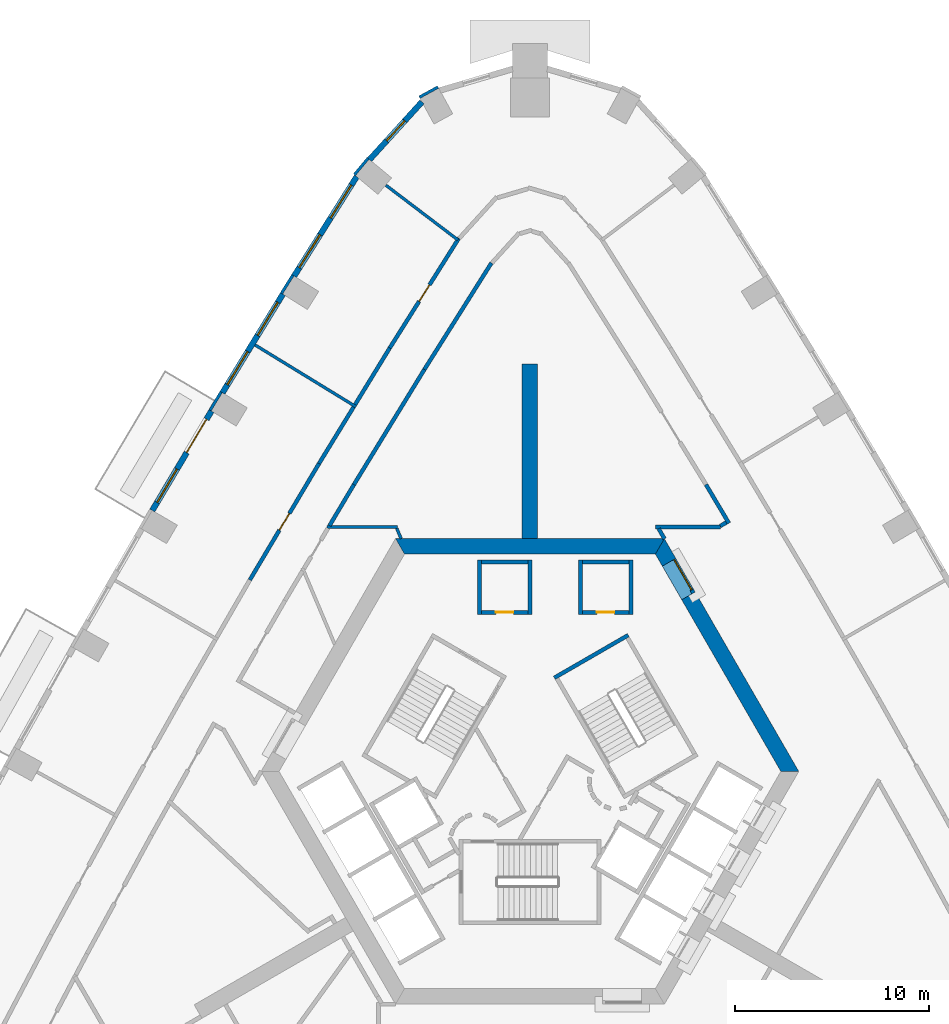
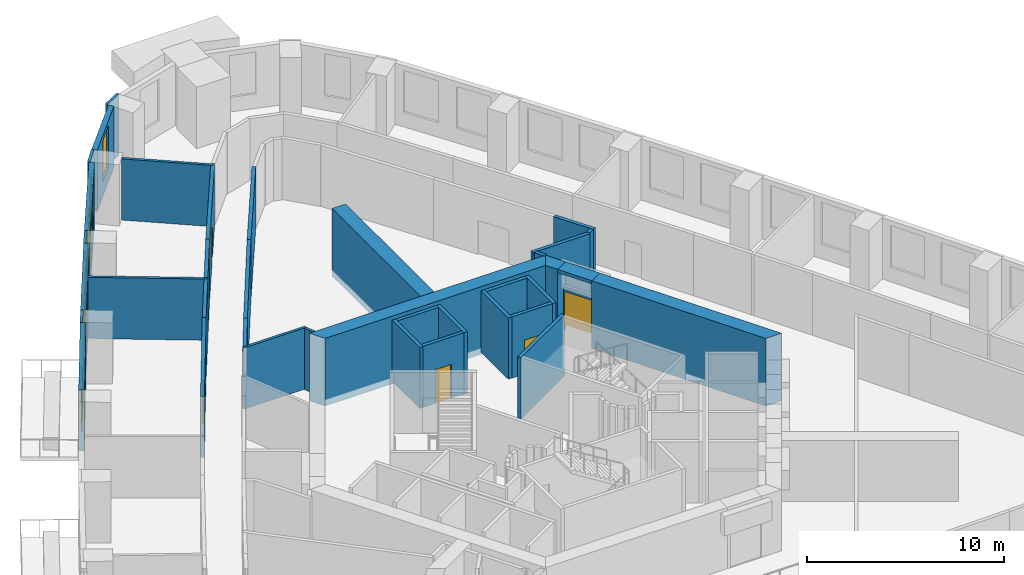
# One storey, part 9 of 15: 38 walls, 6 doors, 6 windows, 12 openings.
"""IFC4 building model written with IfcOpenShell, lengths in metres."""

import ifcopenshell
import ifcopenshell.guid

model = None  # the IFC model being written
_history = None  # IfcOwnerHistory: only IFC2X3 demands one
_inside = {}  # id of a spatial element -> (the spatial element, [elements in it])
_under = {}  # id of a project, library or spatial element -> (it, [spatial elements below it])
_declared = {}  # id of a project -> (the project, [libraries it declares])
_typed = {}  # id of a type object -> (the type object, [elements of that type])
_made_of = {}  # id of a material, layer set ... -> (it, [elements and type objects made of it])


def new_model(schema):
    """Start an empty IFC model of exactly this schema.

    Asked for "IFC4X3", IfcOpenShell would pick the latest addendum, in which some entities
    have other attributes; the version numbers below select the first issue.
    IFC2X3 requires an IfcOwnerHistory on every rooted entity: one is made here for all.
    """
    global model, _history
    if schema == "IFC4X3":
        model = ifcopenshell.file(schema_version=(4, 3, 0, 0))
    else:
        model = ifcopenshell.file(schema=schema)
    _inside.clear()
    _under.clear()
    _declared.clear()
    _typed.clear()
    _made_of.clear()
    _history = None
    if model.schema == "IFC2X3":
        org = make("IfcOrganization", Name="unknown")
        user = make(
            "IfcPersonAndOrganization",
            ThePerson=make("IfcPerson", FamilyName="unknown"),
            TheOrganization=org,
        )
        app = make(
            "IfcApplication",
            ApplicationDeveloper=org,
            Version="unknown",
            ApplicationFullName="unknown",
            ApplicationIdentifier="unknown",
        )
        _history = make(
            "IfcOwnerHistory",
            OwningUser=user,
            OwningApplication=app,
            ChangeAction="ADDED",
            CreationDate=0,
        )
    return model


def make(cls, **values):
    """One entity of the class cls with the attributes given. An attribute that is None is left unset."""
    return model.create_entity(
        cls, **{name: value for name, value in values.items() if value is not None}
    )


def rooted(cls, **values):
    """An entity with a GlobalId (a new one), such as an element, a storey or a relation."""
    return make(cls, GlobalId=ifcopenshell.guid.new(), OwnerHistory=_history, **values)


def si_unit(unit_type, name, prefix=None):
    """IfcSIUnit, for example si_unit("LENGTHUNIT", "METRE", prefix="MILLI")."""
    return make("IfcSIUnit", UnitType=unit_type, Prefix=prefix, Name=name)


def assignment(units):
    """IfcUnitAssignment: the units of a project."""
    return None if units is None else make("IfcUnitAssignment", Units=units)


def point(xyz):
    """IfcCartesianPoint."""
    return None if xyz is None else make("IfcCartesianPoint", Coordinates=xyz)


def direction(xyz):
    """IfcDirection."""
    return None if xyz is None else make("IfcDirection", DirectionRatios=xyz)


def frame(location, z_axis=None, x_axis=None):
    """IfcAxis2Placement3D, a coordinate frame: its origin and axes. An axis left out is left unset."""
    return make(
        "IfcAxis2Placement3D",
        Location=point(location),
        Axis=direction(z_axis),
        RefDirection=direction(x_axis),
    )


def frame_2d(location, x_axis=None):
    """IfcAxis2Placement2D, a coordinate frame in the plane: its origin and x axis."""
    return make(
        "IfcAxis2Placement2D", Location=point(location), RefDirection=direction(x_axis)
    )


def origin():
    """The frame at (0, 0, 0) with its axes left unset."""
    return frame((0.0, 0.0, 0.0))


def place(relative_to, where):
    """IfcLocalPlacement: puts the frame where relative to a parent placement (None: the world)."""
    return make(
        "IfcLocalPlacement", PlacementRelTo=relative_to, RelativePlacement=where
    )


def context(
    kind, dimensions, precision=None, world=None, true_north=None, identifier=None
):
    """IfcGeometricRepresentationContext, for example the 3D "Model" context."""
    return make(
        "IfcGeometricRepresentationContext",
        ContextIdentifier=identifier,
        ContextType=kind,
        CoordinateSpaceDimension=dimensions,
        Precision=precision,
        WorldCoordinateSystem=world,
        TrueNorth=true_north,
    )


def subcontext(parent, identifier, kind, view, scale=None):
    """IfcGeometricRepresentationSubContext, for example "Body" below "Model"."""
    return make(
        "IfcGeometricRepresentationSubContext",
        ContextIdentifier=identifier,
        ContextType=kind,
        ParentContext=parent,
        TargetScale=scale,
        TargetView=view,
    )


def project(units=None, contexts=None):
    """IfcProject with its units and contexts."""
    return rooted(
        "IfcProject",
        Name="project",
        RepresentationContexts=contexts,
        UnitsInContext=assignment(units),
    )


def spatial(cls, under=None, at=None, **own):
    """A site, building, storey or space (cls), placed at a placement, below another one or the project."""
    s = rooted(cls, ObjectPlacement=at, **own)
    if under is not None:
        _under.setdefault(under.id(), (under, []))[1].append(s)
    return s


def polyline(points):
    """IfcPolyline through the points."""
    return make("IfcPolyline", Points=[point(p) for p in points])


def profile(cls, at=None, kind="AREA", **sizes):
    """A parametric profile (cls). Its sizes go by their IFC names, for example OverallWidth=200.0."""
    return make(cls, ProfileType=kind, Position=at, **sizes)


def rectangle(**sizes):
    """IfcRectangleProfileDef."""
    return profile("IfcRectangleProfileDef", **sizes)


def outline(outer, holes=None, kind="AREA"):
    """IfcArbitraryClosedProfileDef: a profile drawn as a closed curve; with holes, ...WithVoids."""
    if holes is None:
        return make("IfcArbitraryClosedProfileDef", ProfileType=kind, OuterCurve=outer)
    return make(
        "IfcArbitraryProfileDefWithVoids",
        ProfileType=kind,
        OuterCurve=outer,
        InnerCurves=holes,
    )


def extrude(swept, where, along, depth):
    """IfcExtrudedAreaSolid: the profile swept, set in the frame where, extruded along a direction by depth."""
    return make(
        "IfcExtrudedAreaSolid",
        SweptArea=swept,
        Position=where,
        ExtrudedDirection=direction(along),
        Depth=depth,
    )


def shape(context_of_items, identifier, shape_type, items):
    """IfcShapeRepresentation: the items that make up one representation, for example the "Body"."""
    return make(
        "IfcShapeRepresentation",
        ContextOfItems=context_of_items,
        RepresentationIdentifier=identifier,
        RepresentationType=shape_type,
        Items=items,
    )


def material(Name=None, Category=None):
    """IfcMaterial."""
    return make("IfcMaterial", Name=Name, Category=Category)


def layer(
    of_material, thickness, ventilated=None, Name=None, Category=None, Priority=None
):
    """IfcMaterialLayer: one layer of a wall or slab, of a material (None: an air gap)."""
    return make(
        "IfcMaterialLayer",
        Material=of_material,
        LayerThickness=thickness,
        IsVentilated=ventilated,
        Name=Name,
        Category=Category,
        Priority=Priority,
    )


def layer_set(layers, Name=None):
    """IfcMaterialLayerSet."""
    return make("IfcMaterialLayerSet", MaterialLayers=layers, LayerSetName=Name)


def made_of(thing, what):
    """Note that an element or type object is made of a material, layer set ...; save() writes the relation."""
    if what is not None:
        _made_of.setdefault(what.id(), (what, []))[1].append(thing)
    return thing


def type_object(cls, material=None, **own):
    """A type object (cls), such as IfcWallType, which elements share."""
    return made_of(rooted(cls, **own), material)


def element(
    cls,
    number,
    at=None,
    inside=None,
    cuts=None,
    type_object=None,
    material=None,
    context=None,
    identifier="Body",
    shape_type=None,
    held_by="IfcProductDefinitionShape",
    body=None,
    shapes=None,
    **own,
):
    """One element of the class cls, such as IfcWall. Its Tag is "e" and its number.

    at: its placement. inside: the storey or other place that contains it. cuts: it is an
    opening in that element (IfcRelVoidsElement). A single representation is given by context,
    identifier, shape_type and body (its items); several are given by shapes. held_by: the class
    of the entity that holds the representations. save() writes the other relations.
    """
    e = rooted(cls, Tag="e%d" % number, ObjectPlacement=at, **own)
    if body is not None:
        shapes = [shape(context, identifier, shape_type, body)]
    if shapes is not None:
        e.Representation = make(held_by, Representations=shapes)
    if inside is not None:
        _inside.setdefault(inside.id(), (inside, []))[1].append(e)
    if cuts is not None:
        rooted(
            "IfcRelVoidsElement", RelatingBuildingElement=cuts, RelatedOpeningElement=e
        )
    if type_object is not None:
        _typed.setdefault(type_object.id(), (type_object, []))[1].append(e)
    return made_of(e, material)


def fill(opening, filler):
    """IfcRelFillsElement: the door or window that sits in an opening."""
    return rooted(
        "IfcRelFillsElement",
        RelatingOpeningElement=opening,
        RelatedBuildingElement=filler,
    )


def aggregate(whole, parts):
    """IfcRelAggregates: a whole, such as a stair, and the parts it consists of."""
    return rooted("IfcRelAggregates", RelatingObject=whole, RelatedObjects=parts)


def save(model, path):
    """Write the relations noted so far, then the file.

    IfcRelAggregates (storeys below a building ...), IfcRelContainedInSpatialStructure (elements
    in a storey), IfcRelDefinesByType, IfcRelAssociatesMaterial and IfcRelDeclares: one each for
    every whole, place, type object, material and project.
    """
    for whole, parts in _under.values():
        aggregate(whole, parts)
    for where, things in _inside.values():
        rooted(
            "IfcRelContainedInSpatialStructure",
            RelatedElements=things,
            RelatingStructure=where,
        )
    for kind, things in _typed.values():
        rooted("IfcRelDefinesByType", RelatedObjects=things, RelatingType=kind)
    for what, things in _made_of.values():
        rooted("IfcRelAssociatesMaterial", RelatedObjects=things, RelatingMaterial=what)
    for by, libraries in _declared.values():
        rooted("IfcRelDeclares", RelatingContext=by, RelatedDefinitions=libraries)
    model.write(path)


model = new_model("IFC4")

# Units and contexts
model_context = context("Model", 3, precision=1e-05, world=origin(), true_north=direction((0.0, 1.0)))
body_context = subcontext(model_context, "Body", "Model", "MODEL_VIEW")
ifc_project = project(units=[si_unit("LENGTHUNIT", "METRE"), si_unit("AREAUNIT", "SQUARE_METRE"), si_unit("VOLUMEUNIT", "CUBIC_METRE"), si_unit("PLANEANGLEUNIT", "RADIAN"), si_unit("MASSUNIT", "GRAM", prefix="KILO")], contexts=[model_context])

# Site, building, storey
site_placement = place(None, origin())
site = spatial("IfcSite", under=ifc_project, at=site_placement, CompositionType="ELEMENT")
building_placement = place(site_placement, origin())
building = spatial("IfcBuilding", under=site, at=building_placement, Name="Entoto Arch Interchange Tower", CompositionType="ELEMENT")
storey_placement = place(building_placement, frame((0.0, 0.0, 171.800048828125)))
storey = spatial("IfcBuildingStorey", under=building, at=storey_placement, Name="L38", CompositionType="ELEMENT", Elevation=171.800048828125)

# Wall
ifc_material_1 = material(Name="Concrete C50/60", Category="concrete")
ifc_layer_1 = layer(ifc_material_1, 0.800048828125)
ifc_layer_set_1 = layer_set([ifc_layer_1], Name="Concrete C50/60")
wall_type_1 = type_object("IfcWallType", Name="Buttress wall 800 C50/60", PredefinedType="SHEAR", material=ifc_layer_set_1)
wall_1_placement = place(storey_placement, frame((0.0, 14.5, -0.400146484375), z_axis=(0.0, 0.0, 1.0), x_axis=(0.0, 1.0, 0.0)))
element("IfcWall", 1, at=wall_1_placement, inside=storey, type_object=wall_type_1, Name="Buttress wall N L38", PredefinedType="SHEAR", context=body_context, shape_type="SweptSolid", body=[
    extrude(rectangle(XDim=9.0, YDim=0.800048828125, at=frame_2d((4.5, 0.0))), origin(), (0.0, 0.0, 1.0), 4.2001953125),
])

# Wall, opening, door
ifc_material_2 = material(Name="Reinforced concrete C40/50", Category="concrete")
ifc_layer_2 = layer(ifc_material_2, 0.199951171875)
ifc_layer_set_2 = layer_set([ifc_layer_2], Name="Reinforced concrete C40/50")
wall_type_2 = type_object("IfcWallType", Name="CORE GAP INFILL WALL", PredefinedType="PARTITIONING", material=ifc_layer_set_2)
wall_2_placement = place(storey_placement, frame((8.429931640625, 11.697998046875, 0.0), z_axis=(0.0, 0.0, 1.0), x_axis=(-0.50002537861, 0.866010750942, 0.0)))
wall_2 = element("IfcWall", 2, at=wall_2_placement, inside=storey, type_object=wall_type_2, Name="wall:L38:gap2", PredefinedType="PARTITIONING", context=body_context, shape_type="SweptSolid", body=[
    extrude(rectangle(XDim=2.0, YDim=0.199951171875, at=frame_2d((1.0, 0.0))), origin(), (0.0, 0.0, 1.0), 2.39990234375),
])
opening_1_placement = place(wall_2_placement, frame((0.18994140625, 0.0, 0.0)))
opening_1 = element("IfcOpeningElement", 3, at=opening_1_placement, cuts=wall_2, Name="Opening L38-D92", PredefinedType="OPENING", context=body_context, shape_type="SweptSolid", body=[
    extrude(rectangle(XDim=1.800048828125, YDim=2.10009765625, at=frame_2d((0.89990234375, 1.050048828125))), frame((0.0, 0.10986328125, 0.0), z_axis=(0.0, -1.0, 0.0), x_axis=(1.0, 0.0, 0.0)), (0.0, 0.0, 1.0), 0.219970703125),
])
ifc_material_3 = material(Name="Fire-rated Steel S235 door and frame", Category="steel")
door_type_1 = type_object("IfcDoorType", Name="DOOR FD-18 1800x2100", OperationType="DOUBLE_DOOR_SINGLE_SWING", PredefinedType="DOOR", material=ifc_material_3)
door_1_placement = place(opening_1_placement, origin())
door_1 = element("IfcDoor", 4, at=door_1_placement, inside=storey, type_object=door_type_1, Name="door:L38:gap2", OperationType="DOUBLE_DOOR_SINGLE_SWING", OverallHeight=2.10009765625, OverallWidth=1.800048828125, PredefinedType="DOOR", context=body_context, shape_type="SweptSolid", body=[
    extrude(rectangle(XDim=1.800048828125, YDim=2.10009765625, at=frame_2d((0.89990234375, 1.050048828125))), frame((0.0, 0.02490234375, 0.0), z_axis=(0.0, -1.0, 0.0), x_axis=(1.0, 0.0, 0.0)), (0.0, 0.0, 1.0), 0.050048828125),
])
fill(opening_1, door_1)

# Walls
ifc_layer_3 = layer(ifc_material_1, 0.800048828125)
ifc_layer_set_3 = layer_set([ifc_layer_3], Name="Concrete C50/60")
wall_type_3 = type_object("IfcWallType", Name="Core wall 800 C50/60", PredefinedType="SHEAR", material=ifc_layer_set_3)
wall_3_placement = place(storey_placement, frame((0.0, 0.0, -0.400146484375)))
element("IfcWall", 5, at=wall_3_placement, inside=storey, type_object=wall_type_3, Name="Core wall NE L38", PredefinedType="SHEAR", context=body_context, shape_type="SweptSolid", body=[
    extrude(outline(polyline([(8.51708984375, 11.748046875), (7.823974609375, 11.347900390625), (12.93310546875, 2.5), (13.85595703125, 2.5), (8.51708984375, 11.748046875)])), origin(), (0.0, 0.0, 1.0), 4.2001953125),
])
wall_4_placement = place(storey_placement, frame((0.0, 0.0, -0.400146484375)))
element("IfcWall", 6, at=wall_4_placement, inside=storey, type_object=wall_type_3, Name="Core wall NE L38", PredefinedType="SHEAR", context=body_context, shape_type="SweptSolid", body=[
    extrude(outline(polyline([(6.823974609375, 13.080078125), (7.51708984375, 13.47998046875), (6.927978515625, 14.5), (6.466064453125, 13.699951171875), (6.823974609375, 13.080078125)])), origin(), (0.0, 0.0, 1.0), 4.2001953125),
])
wall_5_placement = place(storey_placement, frame((0.0, 0.0, 3.599853515625)))
element("IfcWall", 7, at=wall_5_placement, inside=storey, type_object=wall_type_3, Name="Core wall lintel NE L38", PredefinedType="SHEAR", context=body_context, shape_type="SweptSolid", body=[
    extrude(outline(polyline([(7.51708984375, 13.47998046875), (6.823974609375, 13.080078125), (7.823974609375, 11.347900390625), (8.51708984375, 11.748046875), (7.51708984375, 13.47998046875)])), origin(), (0.0, 0.0, 1.0), 0.2001953125),
])
wall_6_placement = place(storey_placement, frame((0.0, 0.0, -0.400146484375)))
element("IfcWall", 8, at=wall_6_placement, inside=storey, type_object=wall_type_3, Name="Core wall N L38", PredefinedType="SHEAR", context=body_context, shape_type="SweptSolid", body=[
    extrude(outline(polyline([(6.927978515625, 14.5), (-6.927978515625, 14.5), (-6.466064453125, 13.699951171875), (6.466064453125, 13.699951171875), (6.927978515625, 14.5)])), origin(), (0.0, 0.0, 1.0), 4.2001953125),
])
ifc_material_4 = material(Name="Gypsum board partition on steel studs", Category="steel")
ifc_layer_4 = layer(ifc_material_4, 0.14990234375)
ifc_layer_set_4 = layer_set([ifc_layer_4], Name="Gypsum board partition on steel studs")
wall_type_4 = type_object("IfcWallType", Name="PARTITION 150", PredefinedType="PARTITIONING", material=ifc_layer_set_4)
wall_7_placement = place(storey_placement, frame((-6.820068359375, 15.10009765625, 0.0), z_axis=(0.0, 0.0, 1.0), x_axis=(-1.0, 0.0, 0.0)))
element("IfcWall", 9, at=wall_7_placement, inside=storey, type_object=wall_type_4, Name="wall:L38:p098", PredefinedType="PARTITIONING", context=body_context, shape_type="SweptSolid", body=[
    extrude(rectangle(XDim=3.65185546875, YDim=0.14990234375, at=frame_2d((1.825927734375, 0.0))), origin(), (0.0, 0.0, 1.0), 3.800048828125),
])
wall_8_placement = place(storey_placement, frame((-6.64111328125, 14.5, 0.0), z_axis=(0.0, 0.0, 1.0), x_axis=(-0.389930013825, 0.920844495188, 0.0)))
element("IfcWall", 10, at=wall_8_placement, inside=storey, type_object=wall_type_4, Name="wall:L38:p099", PredefinedType="PARTITIONING", context=body_context, shape_type="SweptSolid", body=[
    extrude(rectangle(XDim=0.57666015625, YDim=0.14990234375, at=frame_2d((0.288330078125, 0.0))), origin(), (0.0, 0.0, 1.0), 3.800048828125),
])
wall_9_placement = place(storey_placement, frame((-3.716064453125, 29.89892578125, 0.0), z_axis=(0.0, 0.0, 1.0), x_axis=(-0.796435085709, 0.604724031481, 0.0)))
element("IfcWall", 11, at=wall_9_placement, inside=storey, type_object=wall_type_4, Name="wall:L38:p140", PredefinedType="PARTITIONING", context=body_context, shape_type="SweptSolid", body=[
    extrude(rectangle(XDim=4.6533203125, YDim=0.14990234375, at=frame_2d((2.32666015625, 0.0))), origin(), (0.0, 0.0, 1.0), 3.800048828125),
])
wall_10_placement = place(storey_placement, frame((-8.964111328125, 21.294921875, 0.0), z_axis=(0.0, 0.0, 1.0), x_axis=(-0.852835298101, 0.522180001832, 0.0)))
element("IfcWall", 12, at=wall_10_placement, inside=storey, type_object=wall_type_4, Name="wall:L38:p141", PredefinedType="PARTITIONING", context=body_context, shape_type="SweptSolid", body=[
    extrude(rectangle(XDim=6.099609375, YDim=0.14990234375, at=frame_2d((3.0498046875, 0.0))), origin(), (0.0, 0.0, 1.0), 3.800048828125),
])
ifc_layer_5 = layer(ifc_material_4, 0.199951171875)
ifc_layer_set_5 = layer_set([ifc_layer_5], Name="Gypsum board partition on steel studs")
wall_type_5 = type_object("IfcWallType", Name="PARTITION 200", PredefinedType="PARTITIONING", material=ifc_layer_set_5)
wall_11_placement = place(storey_placement, frame((6.93701171875, 14.488037109375, 0.0), z_axis=(0.0, 0.0, 1.0), x_axis=(-0.499908430952, 0.866078264744, 0.0)))
element("IfcWall", 13, at=wall_11_placement, inside=storey, type_object=wall_type_5, Name="wall:L38:p005", PredefinedType="PARTITIONING", context=body_context, shape_type="SweptSolid", body=[
    extrude(rectangle(XDim=0.60595703125, YDim=0.199951171875, at=frame_2d((0.302978515625, 0.0))), origin(), (0.0, 0.0, 1.0), 3.800048828125),
])
wall_12_placement = place(storey_placement, frame((6.48388671875, 15.10009765625, 0.0), z_axis=(0.0, 0.0, 1.0), x_axis=(1.0, 0.0, 0.0)))
element("IfcWall", 14, at=wall_12_placement, inside=storey, type_object=wall_type_5, Name="wall:L38:p006", PredefinedType="PARTITIONING", context=body_context, shape_type="SweptSolid", body=[
    extrude(rectangle(XDim=3.339111328125, YDim=0.199951171875, at=frame_2d((1.66943359375, 0.0))), origin(), (0.0, 0.0, 1.0), 3.800048828125),
])
wall_13_placement = place(storey_placement, frame((9.80908203125, 15.14990234375, 0.0), z_axis=(0.0, 0.0, 1.0), x_axis=(0.866479829667, 0.499212083968, 0.0)))
element("IfcWall", 15, at=wall_13_placement, inside=storey, type_object=wall_type_5, Name="wall:L38:p007", PredefinedType="PARTITIONING", context=body_context, shape_type="SweptSolid", body=[
    extrude(rectangle(XDim=0.35888671875, YDim=0.199951171875, at=frame_2d((0.179443359375, 0.0))), origin(), (0.0, 0.0, 1.0), 3.800048828125),
])
wall_14_placement = place(storey_placement, frame((10.257080078125, 15.29296875, 0.0), z_axis=(0.0, 0.0, 1.0), x_axis=(-0.510974411771, 0.859595922812, 0.0)))
element("IfcWall", 16, at=wall_14_placement, inside=storey, type_object=wall_type_5, Name="wall:L38:p008", PredefinedType="PARTITIONING", context=body_context, shape_type="SweptSolid", body=[
    extrude(rectangle(XDim=2.3173828125, YDim=0.199951171875, at=frame_2d((1.15869140625, 0.0))), origin(), (0.0, 0.0, 1.0), 3.800048828125),
])
wall_15_placement = place(storey_placement, frame((-1.98388671875, 28.708984375, 0.0), z_axis=(0.0, 0.0, 1.0), x_axis=(-0.532786324951, -0.846249804694, 0.0)))
element("IfcWall", 17, at=wall_15_placement, inside=storey, type_object=wall_type_5, Name="wall:L38:p015", PredefinedType="PARTITIONING", context=body_context, shape_type="SweptSolid", body=[
    extrude(rectangle(XDim=6.488525390625, YDim=0.199951171875, at=frame_2d((3.244140625, 0.0))), origin(), (0.0, 0.0, 1.0), 3.800048828125),
])
wall_16_placement = place(storey_placement, frame((-5.44091796875, 23.218017578125, 0.0), z_axis=(0.0, 0.0, 1.0), x_axis=(-0.522108536257, -0.85287905143, 0.0)))
element("IfcWall", 18, at=wall_16_placement, inside=storey, type_object=wall_type_5, Name="wall:L38:p016", PredefinedType="PARTITIONING", context=body_context, shape_type="SweptSolid", body=[
    extrude(rectangle(XDim=6.95654296875, YDim=0.199951171875, at=frame_2d((3.478271484375, 0.0))), origin(), (0.0, 0.0, 1.0), 3.800048828125),
])
wall_17_placement = place(storey_placement, frame((-9.072998046875, 17.284912109375, 0.0), z_axis=(0.0, 0.0, 1.0), x_axis=(-0.51105761127, -0.859546460619, 0.0)))
element("IfcWall", 19, at=wall_17_placement, inside=storey, type_object=wall_type_5, Name="wall:L38:p017", PredefinedType="PARTITIONING", context=body_context, shape_type="SweptSolid", body=[
    extrude(rectangle(XDim=2.46728515625, YDim=0.199951171875, at=frame_2d((1.233642578125, 0.0))), origin(), (0.0, 0.0, 1.0), 3.800048828125),
])
wall_18_placement = place(storey_placement, frame((-9.010009765625, 21.410888671875, 0.0), z_axis=(0.0, 0.0, 1.0), x_axis=(0.52198736623, 0.852953216476, 0.0)))
element("IfcWall", 20, at=wall_18_placement, inside=storey, type_object=wall_type_5, Name="wall:L38:p063", PredefinedType="PARTITIONING", context=body_context, shape_type="SweptSolid", body=[
    extrude(rectangle(XDim=3.41748046875, YDim=0.199951171875, at=frame_2d((1.708740234375, 0.0))), origin(), (0.0, 0.0, 1.0), 3.800048828125),
])

# Wall, opening, door
wall_19_placement = place(storey_placement, frame((-7.22607421875, 24.325927734375, 0.0), z_axis=(0.0, 0.0, 1.0), x_axis=(0.532874279134, 0.846194423662, 0.0)))
wall_19 = element("IfcWall", 21, at=wall_19_placement, inside=storey, type_object=wall_type_5, Name="wall:L38:p064", PredefinedType="PARTITIONING", context=body_context, shape_type="SweptSolid", body=[
    extrude(rectangle(XDim=6.686279296875, YDim=0.199951171875, at=frame_2d((3.34326171875, 0.0))), origin(), (0.0, 0.0, 1.0), 3.800048828125),
])
opening_2_placement = place(wall_19_placement, frame((2.843017578125, 0.0, 0.0)))
opening_2 = element("IfcOpeningElement", 22, at=opening_2_placement, cuts=wall_19, Name="Opening L38-D08", PredefinedType="OPENING", context=body_context, shape_type="SweptSolid", body=[
    extrude(rectangle(XDim=1.0, YDim=2.10009765625, at=frame_2d((0.5, 1.050048828125))), frame((0.0, 0.10986328125, 0.0), z_axis=(0.0, -1.0, 0.0), x_axis=(1.0, 0.0, 0.0)), (0.0, 0.0, 1.0), 0.219970703125),
])
ifc_material_5 = material(Name="Timber door leaf in Steel S235 frame", Category="steel")
door_type_2 = type_object("IfcDoorType", Name="DOOR DS-10 1000x2100", OperationType="SINGLE_SWING_LEFT", PredefinedType="DOOR", material=ifc_material_5)
door_2_placement = place(opening_2_placement, origin())
door_2 = element("IfcDoor", 23, at=door_2_placement, inside=storey, type_object=door_type_2, Name="door:L38:08", OperationType="SINGLE_SWING_LEFT", OverallHeight=2.10009765625, OverallWidth=1.0, PredefinedType="DOOR", context=body_context, shape_type="SweptSolid", body=[
    extrude(rectangle(XDim=1.0, YDim=2.10009765625, at=frame_2d((0.5, 1.050048828125))), frame((0.0, 0.02490234375, 0.0), z_axis=(0.0, -1.0, 0.0), x_axis=(1.0, 0.0, 0.0)), (0.0, 0.0, 1.0), 0.050048828125),
])
fill(opening_2, door_2)

wall_20_placement = place(storey_placement, frame((-14.43896484375, 12.367919921875, 0.0), z_axis=(0.0, 0.0, 1.0), x_axis=(0.51096926939, 0.859598979606, 0.0)))
wall_20 = element("IfcWall", 24, at=wall_20_placement, inside=storey, type_object=wall_type_5, Name="wall:L38:p066", PredefinedType="PARTITIONING", context=body_context, shape_type="SweptSolid", body=[
    extrude(rectangle(XDim=6.982666015625, YDim=0.199951171875, at=frame_2d((3.4912109375, 0.0))), origin(), (0.0, 0.0, 1.0), 3.800048828125),
])
opening_3_placement = place(wall_20_placement, frame((2.990966796875, 0.0, 0.0)))
opening_3 = element("IfcOpeningElement", 25, at=opening_3_placement, cuts=wall_20, Name="Opening L38-D09", PredefinedType="OPENING", context=body_context, shape_type="SweptSolid", body=[
    extrude(rectangle(XDim=1.0, YDim=2.10009765625, at=frame_2d((0.5, 1.050048828125))), frame((0.0, 0.10986328125, 0.0), z_axis=(0.0, -1.0, 0.0), x_axis=(1.0, 0.0, 0.0)), (0.0, 0.0, 1.0), 0.219970703125),
])
door_3_placement = place(opening_3_placement, origin())
door_3 = element("IfcDoor", 26, at=door_3_placement, inside=storey, type_object=door_type_2, Name="door:L38:09", OperationType="SINGLE_SWING_LEFT", OverallHeight=2.10009765625, OverallWidth=1.0, PredefinedType="DOOR", context=body_context, shape_type="SweptSolid", body=[
    extrude(rectangle(XDim=1.0, YDim=2.10009765625, at=frame_2d((0.5, 1.050048828125))), frame((0.0, 0.02490234375, 0.0), z_axis=(0.0, -1.0, 0.0), x_axis=(1.0, 0.0, 0.0)), (0.0, 0.0, 1.0), 0.050048828125),
])
fill(opening_3, door_3)

# Walls
wall_21_placement = place(storey_placement, frame((-10.87109375, 18.3701171875, 0.0), z_axis=(0.0, 0.0, 1.0), x_axis=(0.522117781608, 0.852873391617, 0.0)))
element("IfcWall", 27, at=wall_21_placement, inside=storey, type_object=wall_type_5, Name="wall:L38:p067", PredefinedType="PARTITIONING", context=body_context, shape_type="SweptSolid", body=[
    extrude(rectangle(XDim=3.415283203125, YDim=0.199951171875, at=frame_2d((1.70751953125, 0.0))), origin(), (0.0, 0.0, 1.0), 3.800048828125),
])
wall_22_placement = place(storey_placement, frame((5.199951171875, 13.39990234375, 0.0), z_axis=(0.0, 0.0, 1.0), x_axis=(0.0, -1.0, 0.0)))
element("IfcWall", 28, at=wall_22_placement, inside=storey, type_object=wall_type_5, Name="wall:L38:p078", PredefinedType="PARTITIONING", context=body_context, shape_type="SweptSolid", body=[
    extrude(rectangle(XDim=2.7998046875, YDim=0.199951171875, at=frame_2d((1.39990234375, 0.0))), origin(), (0.0, 0.0, 1.0), 3.800048828125),
])

# Wall, opening, door
wall_23_placement = place(storey_placement, frame((5.10009765625, 10.699951171875, 0.0), z_axis=(0.0, 0.0, 1.0), x_axis=(-1.0, 0.0, 0.0)))
wall_23 = element("IfcWall", 29, at=wall_23_placement, inside=storey, type_object=wall_type_5, Name="wall:L38:p079", PredefinedType="PARTITIONING", context=body_context, shape_type="SweptSolid", body=[
    extrude(rectangle(XDim=2.400146484375, YDim=0.199951171875, at=frame_2d((1.2001953125, 0.0))), origin(), (0.0, 0.0, 1.0), 3.800048828125),
])
opening_4_placement = place(wall_23_placement, frame((0.75, 0.0, 0.0)))
opening_4 = element("IfcOpeningElement", 30, at=opening_4_placement, cuts=wall_23, Name="Opening L38-D27", PredefinedType="OPENING", context=body_context, shape_type="SweptSolid", body=[
    extrude(rectangle(XDim=0.89990234375, YDim=2.10009765625, at=frame_2d((0.449951171875, 1.050048828125))), frame((0.0, 0.10986328125, 0.0), z_axis=(0.0, -1.0, 0.0), x_axis=(1.0, 0.0, 0.0)), (0.0, 0.0, 1.0), 0.219970703125),
])
door_type_3 = type_object("IfcDoorType", Name="DOOR DS-09 900x2100", OperationType="SINGLE_SWING_LEFT", PredefinedType="DOOR", material=ifc_material_5)
door_4_placement = place(opening_4_placement, origin())
door_4 = element("IfcDoor", 31, at=door_4_placement, inside=storey, type_object=door_type_3, Name="door:L38:27", OperationType="SINGLE_SWING_RIGHT", OverallHeight=2.10009765625, OverallWidth=0.89990234375, PredefinedType="DOOR", context=body_context, shape_type="SweptSolid", body=[
    extrude(rectangle(XDim=0.89990234375, YDim=2.10009765625, at=frame_2d((0.449951171875, 1.050048828125))), frame((0.0, 0.02490234375, 0.0), z_axis=(0.0, -1.0, 0.0), x_axis=(1.0, 0.0, 0.0)), (0.0, 0.0, 1.0), 0.050048828125),
])
fill(opening_4, door_4)

# Walls
wall_24_placement = place(storey_placement, frame((2.60009765625, 10.60009765625, 0.0), z_axis=(0.0, 0.0, 1.0), x_axis=(0.0, 1.0, 0.0)))
element("IfcWall", 32, at=wall_24_placement, inside=storey, type_object=wall_type_5, Name="wall:L38:p080", PredefinedType="PARTITIONING", context=body_context, shape_type="SweptSolid", body=[
    extrude(rectangle(XDim=2.7998046875, YDim=0.199951171875, at=frame_2d((1.39990234375, 0.0))), origin(), (0.0, 0.0, 1.0), 3.800048828125),
])
wall_25_placement = place(storey_placement, frame((2.699951171875, 13.300048828125, 0.0), z_axis=(0.0, 0.0, 1.0), x_axis=(1.0, 0.0, 0.0)))
element("IfcWall", 33, at=wall_25_placement, inside=storey, type_object=wall_type_5, Name="wall:L38:p081", PredefinedType="PARTITIONING", context=body_context, shape_type="SweptSolid", body=[
    extrude(rectangle(XDim=2.400146484375, YDim=0.199951171875, at=frame_2d((1.2001953125, 0.0))), origin(), (0.0, 0.0, 1.0), 3.800048828125),
])
wall_26_placement = place(storey_placement, frame((0.0, 13.39990234375, 0.0), z_axis=(0.0, 0.0, 1.0), x_axis=(0.0, -1.0, 0.0)))
element("IfcWall", 34, at=wall_26_placement, inside=storey, type_object=wall_type_5, Name="wall:L38:p082", PredefinedType="PARTITIONING", context=body_context, shape_type="SweptSolid", body=[
    extrude(rectangle(XDim=2.7998046875, YDim=0.199951171875, at=frame_2d((1.39990234375, 0.0))), origin(), (0.0, 0.0, 1.0), 3.800048828125),
])

# Wall, opening, door
wall_27_placement = place(storey_placement, frame((-0.10009765625, 10.699951171875, 0.0), z_axis=(0.0, 0.0, 1.0), x_axis=(-1.0, 0.0, 0.0)))
wall_27 = element("IfcWall", 35, at=wall_27_placement, inside=storey, type_object=wall_type_5, Name="wall:L38:p083", PredefinedType="PARTITIONING", context=body_context, shape_type="SweptSolid", body=[
    extrude(rectangle(XDim=2.39990234375, YDim=0.199951171875, at=frame_2d((1.199951171875, 0.0))), origin(), (0.0, 0.0, 1.0), 3.800048828125),
])
opening_5_placement = place(wall_27_placement, frame((0.75, 0.0, 0.0)))
opening_5 = element("IfcOpeningElement", 36, at=opening_5_placement, cuts=wall_27, Name="Opening L38-D28", PredefinedType="OPENING", context=body_context, shape_type="SweptSolid", body=[
    extrude(rectangle(XDim=0.89990234375, YDim=2.10009765625, at=frame_2d((0.449951171875, 1.050048828125))), frame((0.0, 0.10986328125, 0.0), z_axis=(0.0, -1.0, 0.0), x_axis=(1.0, 0.0, 0.0)), (0.0, 0.0, 1.0), 0.219970703125),
])
door_5_placement = place(opening_5_placement, origin())
door_5 = element("IfcDoor", 37, at=door_5_placement, inside=storey, type_object=door_type_3, Name="door:L38:28", OperationType="SINGLE_SWING_RIGHT", OverallHeight=2.10009765625, OverallWidth=0.89990234375, PredefinedType="DOOR", context=body_context, shape_type="SweptSolid", body=[
    extrude(rectangle(XDim=0.89990234375, YDim=2.10009765625, at=frame_2d((0.449951171875, 1.050048828125))), frame((0.0, 0.02490234375, 0.0), z_axis=(0.0, -1.0, 0.0), x_axis=(1.0, 0.0, 0.0)), (0.0, 0.0, 1.0), 0.050048828125),
])
fill(opening_5, door_5)

# Walls
wall_28_placement = place(storey_placement, frame((-2.60009765625, 10.60009765625, 0.0), z_axis=(0.0, 0.0, 1.0), x_axis=(0.0, 1.0, 0.0)))
element("IfcWall", 38, at=wall_28_placement, inside=storey, type_object=wall_type_5, Name="wall:L38:p084", PredefinedType="PARTITIONING", context=body_context, shape_type="SweptSolid", body=[
    extrude(rectangle(XDim=2.7998046875, YDim=0.199951171875, at=frame_2d((1.39990234375, 0.0))), origin(), (0.0, 0.0, 1.0), 3.800048828125),
])
wall_29_placement = place(storey_placement, frame((-2.5, 13.300048828125, 0.0), z_axis=(0.0, 0.0, 1.0), x_axis=(1.0, 0.0, 0.0)))
element("IfcWall", 39, at=wall_29_placement, inside=storey, type_object=wall_type_5, Name="wall:L38:p085", PredefinedType="PARTITIONING", context=body_context, shape_type="SweptSolid", body=[
    extrude(rectangle(XDim=2.39990234375, YDim=0.199951171875, at=frame_2d((1.199951171875, 0.0))), origin(), (0.0, 0.0, 1.0), 3.800048828125),
])
ifc_material_6 = material(Name="Concrete C40/50", Category="concrete")
ifc_layer_6 = layer(ifc_material_6, 0.199951171875)
ifc_layer_set_6 = layer_set([ifc_layer_6], Name="Concrete C40/50")
wall_type_6 = type_object("IfcWallType", Name="STAIR ENCLOSURE WALL 200", PredefinedType="STANDARD", material=ifc_layer_set_6)
wall_30_placement = place(storey_placement, frame((1.256103515625, 7.323974609375, 0.0), z_axis=(0.0, 0.0, 1.0), x_axis=(0.866046073146, 0.499964197906, 0.0)))
element("IfcWall", 40, at=wall_30_placement, inside=storey, type_object=wall_type_6, Name="Stair wall ST-NE far", PredefinedType="STANDARD", context=body_context, shape_type="SweptSolid", body=[
    extrude(rectangle(XDim=4.400146484375, YDim=0.199951171875, at=frame_2d((2.2001953125, 0.0))), origin(), (0.0, 0.0, 1.0), 3.800048828125),
])

# Wall, opening, window
ifc_material_7 = material(Name="Welded tuff (ignimbrite) cladding, warm buff", Category="masonry")
ifc_layer_7 = layer(ifc_material_7, 0.300048828125)
ifc_layer_set_7 = layer_set([ifc_layer_7], Name="Welded tuff (ignimbrite) cladding, warm buff")
wall_type_7 = type_object("IfcWallType", Name="STONE INFILL WALL 300", PredefinedType="STANDARD", material=ifc_layer_set_7)
wall_31_placement = place(storey_placement, frame((-5.568115234375, 37.010009765625, 0.0), z_axis=(0.0, 0.0, 1.0), x_axis=(-0.672034341329, -0.740519982225, 0.0)))
wall_31 = element("IfcWall", 41, at=wall_31_placement, inside=storey, type_object=wall_type_7, Name="Facade wall N-04 L38", PredefinedType="STANDARD", context=body_context, shape_type="SweptSolid", body=[
    extrude(rectangle(XDim=4.017578125, YDim=0.300048828125, at=frame_2d((2.0087890625, 0.0))), origin(), (0.0, 0.0, 1.0), 3.800048828125),
])
opening_6_placement = place(wall_31_placement, frame((1.30908203125, 0.0, 0.89990234375)))
opening_6 = element("IfcOpeningElement", 42, at=opening_6_placement, cuts=wall_31, Name="Opening WO-B", PredefinedType="OPENING", context=body_context, shape_type="SweptSolid", body=[
    extrude(rectangle(XDim=1.39990234375, YDim=2.60009765625, at=frame_2d((0.699951171875, 1.300048828125))), frame((0.0, 0.16015625, 0.0), z_axis=(0.0, -1.0, 0.0), x_axis=(1.0, 0.0, 0.0)), (0.0, 0.0, 1.0), 0.320068359375),
])
ifc_material_8 = material(Name="Clear glass, low-e double glazed", Category="glass")
window_type_1 = type_object("IfcWindowType", Name="WINDOW WO-B 1400x2600", PartitioningType="DOUBLE_PANEL_VERTICAL", PredefinedType="WINDOW", material=ifc_material_8)
window_1_placement = place(opening_6_placement, origin())
window_1 = element("IfcWindow", 43, at=window_1_placement, inside=storey, type_object=window_type_1, Name="Window WO-B N-04 L38", OverallHeight=2.60009765625, OverallWidth=1.39990234375, PartitioningType="SINGLE_PANEL", PredefinedType="WINDOW", context=body_context, shape_type="SweptSolid", body=[
    extrude(rectangle(XDim=1.39990234375, YDim=2.60009765625, at=frame_2d((0.699951171875, 1.300048828125))), frame((0.0, 0.030029296875, 0.0), z_axis=(0.0, -1.0, 0.0), x_axis=(1.0, 0.0, 0.0)), (0.0, 0.0, 1.0), 0.06005859375),
])
fill(opening_6, window_1)

# Wall, openings, windows
wall_32_placement = place(storey_placement, frame((-8.931884765625, 33.158935546875, 0.0), z_axis=(0.0, 0.0, 1.0), x_axis=(-0.532721310512, -0.846290733334, 0.0)))
wall_32 = element("IfcWall", 44, at=wall_32_placement, inside=storey, type_object=wall_type_7, Name="Facade wall NW-01 L38", PredefinedType="STANDARD", context=body_context, shape_type="SweptSolid", body=[
    extrude(rectangle(XDim=6.055908203125, YDim=0.300048828125, at=frame_2d((3.02783203125, 0.0))), origin(), (0.0, 0.0, 1.0), 3.800048828125),
])
opening_7_placement = place(wall_32_placement, frame((0.513916015625, 0.0, 0.89990234375)))
opening_7 = element("IfcOpeningElement", 45, at=opening_7_placement, cuts=wall_32, Name="Opening WO-C", PredefinedType="OPENING", context=body_context, shape_type="SweptSolid", body=[
    extrude(rectangle(XDim=2.0, YDim=2.60009765625, at=frame_2d((1.0, 1.300048828125))), frame((0.0, 0.16015625, 0.0), z_axis=(0.0, -1.0, 0.0), x_axis=(1.0, 0.0, 0.0)), (0.0, 0.0, 1.0), 0.320068359375),
])
opening_8_placement = place(wall_32_placement, frame((3.5419921875, 0.0, 0.89990234375)))
opening_8 = element("IfcOpeningElement", 46, at=opening_8_placement, cuts=wall_32, Name="Opening WO-C", PredefinedType="OPENING", context=body_context, shape_type="SweptSolid", body=[
    extrude(rectangle(XDim=2.0, YDim=2.60009765625, at=frame_2d((1.0, 1.300048828125))), frame((0.0, 0.16015625, 0.0), z_axis=(0.0, -1.0, 0.0), x_axis=(1.0, 0.0, 0.0)), (0.0, 0.0, 1.0), 0.320068359375),
])
window_type_2 = type_object("IfcWindowType", Name="WINDOW WO-C 2000x2600", PartitioningType="DOUBLE_PANEL_VERTICAL", PredefinedType="WINDOW", material=ifc_material_8)
window_2_placement = place(opening_7_placement, origin())
window_2 = element("IfcWindow", 47, at=window_2_placement, inside=storey, type_object=window_type_2, Name="Window WO-C NW-01 L38", OverallHeight=2.60009765625, OverallWidth=2.0, PartitioningType="SINGLE_PANEL", PredefinedType="WINDOW", context=body_context, shape_type="SweptSolid", body=[
    extrude(rectangle(XDim=2.0, YDim=2.60009765625, at=frame_2d((1.0, 1.300048828125))), frame((0.0, 0.030029296875, 0.0), z_axis=(0.0, -1.0, 0.0), x_axis=(1.0, 0.0, 0.0)), (0.0, 0.0, 1.0), 0.06005859375),
])
fill(opening_7, window_2)
window_3_placement = place(opening_8_placement, origin())
window_3 = element("IfcWindow", 48, at=window_3_placement, inside=storey, type_object=window_type_2, Name="Window WO-C NW-01 L38", OverallHeight=2.60009765625, OverallWidth=2.0, PartitioningType="SINGLE_PANEL", PredefinedType="WINDOW", context=body_context, shape_type="SweptSolid", body=[
    extrude(rectangle(XDim=2.0, YDim=2.60009765625, at=frame_2d((1.0, 1.300048828125))), frame((0.0, 0.030029296875, 0.0), z_axis=(0.0, -1.0, 0.0), x_axis=(1.0, 0.0, 0.0)), (0.0, 0.0, 1.0), 0.06005859375),
])
fill(opening_8, window_3)

wall_33_placement = place(storey_placement, frame((-12.737060546875, 27.10107421875, 0.0), z_axis=(0.0, 0.0, 1.0), x_axis=(-0.522156898008, -0.852849443842, 0.0)))
wall_33 = element("IfcWall", 49, at=wall_33_placement, inside=storey, type_object=wall_type_7, Name="Facade wall NW-02 L38", PredefinedType="STANDARD", context=body_context, shape_type="SweptSolid", body=[
    extrude(rectangle(XDim=5.9638671875, YDim=0.300048828125, at=frame_2d((2.98193359375, 0.0))), origin(), (0.0, 0.0, 1.0), 3.800048828125),
])
opening_9_placement = place(wall_33_placement, frame((0.490966796875, 0.0, 0.89990234375)))
opening_9 = element("IfcOpeningElement", 50, at=opening_9_placement, cuts=wall_33, Name="Opening WO-C", PredefinedType="OPENING", context=body_context, shape_type="SweptSolid", body=[
    extrude(rectangle(XDim=2.0, YDim=2.60009765625, at=frame_2d((1.0, 1.300048828125))), frame((0.0, 0.16015625, 0.0), z_axis=(0.0, -1.0, 0.0), x_axis=(1.0, 0.0, 0.0)), (0.0, 0.0, 1.0), 0.320068359375),
])
opening_10_placement = place(wall_33_placement, frame((3.472900390625, 0.0, 0.89990234375)))
opening_10 = element("IfcOpeningElement", 51, at=opening_10_placement, cuts=wall_33, Name="Opening WO-C", PredefinedType="OPENING", context=body_context, shape_type="SweptSolid", body=[
    extrude(rectangle(XDim=2.0, YDim=2.60009765625, at=frame_2d((1.0, 1.300048828125))), frame((0.0, 0.16015625, 0.0), z_axis=(0.0, -1.0, 0.0), x_axis=(1.0, 0.0, 0.0)), (0.0, 0.0, 1.0), 0.320068359375),
])
window_4_placement = place(opening_9_placement, origin())
window_4 = element("IfcWindow", 52, at=window_4_placement, inside=storey, type_object=window_type_2, Name="Window WO-C NW-02 L38", OverallHeight=2.60009765625, OverallWidth=2.0, PartitioningType="SINGLE_PANEL", PredefinedType="WINDOW", context=body_context, shape_type="SweptSolid", body=[
    extrude(rectangle(XDim=2.0, YDim=2.60009765625, at=frame_2d((1.0, 1.300048828125))), frame((0.0, 0.030029296875, 0.0), z_axis=(0.0, -1.0, 0.0), x_axis=(1.0, 0.0, 0.0)), (0.0, 0.0, 1.0), 0.06005859375),
])
fill(opening_9, window_4)
window_5_placement = place(opening_10_placement, origin())
window_5 = element("IfcWindow", 53, at=window_5_placement, inside=storey, type_object=window_type_2, Name="Window WO-C NW-02 L38", OverallHeight=2.60009765625, OverallWidth=2.0, PartitioningType="SINGLE_PANEL", PredefinedType="WINDOW", context=body_context, shape_type="SweptSolid", body=[
    extrude(rectangle(XDim=2.0, YDim=2.60009765625, at=frame_2d((1.0, 1.300048828125))), frame((0.0, 0.030029296875, 0.0), z_axis=(0.0, -1.0, 0.0), x_axis=(1.0, 0.0, 0.0)), (0.0, 0.0, 1.0), 0.06005859375),
])
fill(opening_10, window_5)

# Wall, openings, door, window
wall_34_placement = place(storey_placement, frame((-16.41796875, 21.073974609375, 0.0), z_axis=(0.0, 0.0, 1.0), x_axis=(-0.511053317394, -0.8595490136, 0.0)))
wall_34 = element("IfcWall", 54, at=wall_34_placement, inside=storey, type_object=wall_type_7, Name="Facade wall NW-03 L38", PredefinedType="STANDARD", context=body_context, shape_type="SweptSolid", body=[
    extrude(rectangle(XDim=5.96240234375, YDim=0.300048828125, at=frame_2d((2.981201171875, 0.0))), origin(), (0.0, 0.0, 1.0), 3.800048828125),
])
opening_11_placement = place(wall_34_placement, frame((0.490966796875, 0.0, 0.0)))
opening_11 = element("IfcOpeningElement", 55, at=opening_11_placement, cuts=wall_34, Name="Opening DB-NW-03-L38", PredefinedType="OPENING", context=body_context, shape_type="SweptSolid", body=[
    extrude(rectangle(XDim=2.0, YDim=2.39990234375, at=frame_2d((1.0, 1.199951171875))), frame((0.0, 0.16015625, 0.0), z_axis=(0.0, -1.0, 0.0), x_axis=(1.0, 0.0, 0.0)), (0.0, 0.0, 1.0), 0.320068359375),
])
opening_12_placement = place(wall_34_placement, frame((3.471923828125, 0.0, 0.89990234375)))
opening_12 = element("IfcOpeningElement", 56, at=opening_12_placement, cuts=wall_34, Name="Opening WO-C", PredefinedType="OPENING", context=body_context, shape_type="SweptSolid", body=[
    extrude(rectangle(XDim=2.0, YDim=2.60009765625, at=frame_2d((1.0, 1.300048828125))), frame((0.0, 0.16015625, 0.0), z_axis=(0.0, -1.0, 0.0), x_axis=(1.0, 0.0, 0.0)), (0.0, 0.0, 1.0), 0.320068359375),
])
ifc_material_9 = material(Name="Aluminium and clear glass, anodised", Category="aluminium")
door_type_4 = type_object("IfcDoorType", Name="BALCONY DOOR DB 2000x2400", OperationType="SLIDING_TO_LEFT", PredefinedType="DOOR", material=ifc_material_9)
door_6_placement = place(opening_11_placement, origin())
door_6 = element("IfcDoor", 57, at=door_6_placement, inside=storey, type_object=door_type_4, Name="Balcony door NW-03 L38", OperationType="SLIDING_TO_LEFT", OverallHeight=2.39990234375, OverallWidth=2.0, PredefinedType="DOOR", context=body_context, shape_type="SweptSolid", body=[
    extrude(rectangle(XDim=2.0, YDim=2.39990234375, at=frame_2d((1.0, 1.199951171875))), frame((0.0, 0.02490234375, 0.0), z_axis=(0.0, -1.0, 0.0), x_axis=(1.0, 0.0, 0.0)), (0.0, 0.0, 1.0), 0.050048828125),
])
fill(opening_11, door_6)
window_6_placement = place(opening_12_placement, origin())
window_6 = element("IfcWindow", 58, at=window_6_placement, inside=storey, type_object=window_type_2, Name="Window WO-C NW-03 L38", OverallHeight=2.60009765625, OverallWidth=2.0, PartitioningType="SINGLE_PANEL", PredefinedType="WINDOW", context=body_context, shape_type="SweptSolid", body=[
    extrude(rectangle(XDim=2.0, YDim=2.60009765625, at=frame_2d((1.0, 1.300048828125))), frame((0.0, 0.030029296875, 0.0), z_axis=(0.0, -1.0, 0.0), x_axis=(1.0, 0.0, 0.0)), (0.0, 0.0, 1.0), 0.06005859375),
])
fill(opening_12, window_6)

# Walls
ifc_layer_8 = layer(ifc_material_7, 0.14990234375)
ifc_layer_set_8 = layer_set([ifc_layer_8], Name="Welded tuff (ignimbrite) cladding, warm buff")
wall_type_8 = type_object("IfcWallType", Name="STONE PIER CLADDING 150", PredefinedType="STANDARD", material=ifc_layer_set_8)
wall_35_placement = place(storey_placement, frame((-4.73388671875, 37.778076171875, 0.0), z_axis=(0.0, 0.0, 1.0), x_axis=(-0.877836219403, -0.478960929414, 0.0)))
element("IfcWall", 59, at=wall_35_placement, inside=storey, type_object=wall_type_8, Name="Stone pier N3 L38", PredefinedType="STANDARD", context=body_context, shape_type="SweptSolid", body=[
    extrude(rectangle(XDim=1.1005859375, YDim=0.14990234375, at=frame_2d((0.55029296875, 0.0))), origin(), (0.0, 0.0, 1.0), 3.800048828125),
])
for number, where, z_axis, x_axis, name in (
    (60, (-8.343994140625, 34.09912109375, 0.0), (0.0, 0.0, 1.0), (-0.639092407347, -0.769129959676, 0.0), "Stone pier NW01 L38"),
    (61, (-12.222900390625, 28.075927734375, 0.0), (0.0, 0.0, 1.0), (-0.52997899071, -0.848010771987, 0.0), "Stone pier NW02 L38"),
    (62, (-15.9169921875, 22.055908203125, 0.0), (0.0, 0.0, 1.0), (-0.518178754102, -0.855272341888, 0.0), "Stone pier NW03 L38"),
):
    element("IfcWall", number, at=place(storey_placement, frame(where, z_axis=z_axis, x_axis=x_axis)), inside=storey, type_object=wall_type_8, Name=name, PredefinedType="STANDARD", context=body_context, shape_type="SweptSolid", body=[
        extrude(rectangle(XDim=1.10009765625, YDim=0.14990234375, at=frame_2d((0.550048828125, 0.0))), origin(), (0.0, 0.0, 1.0), 3.800048828125),
    ])

save(model, "model.ifc")
